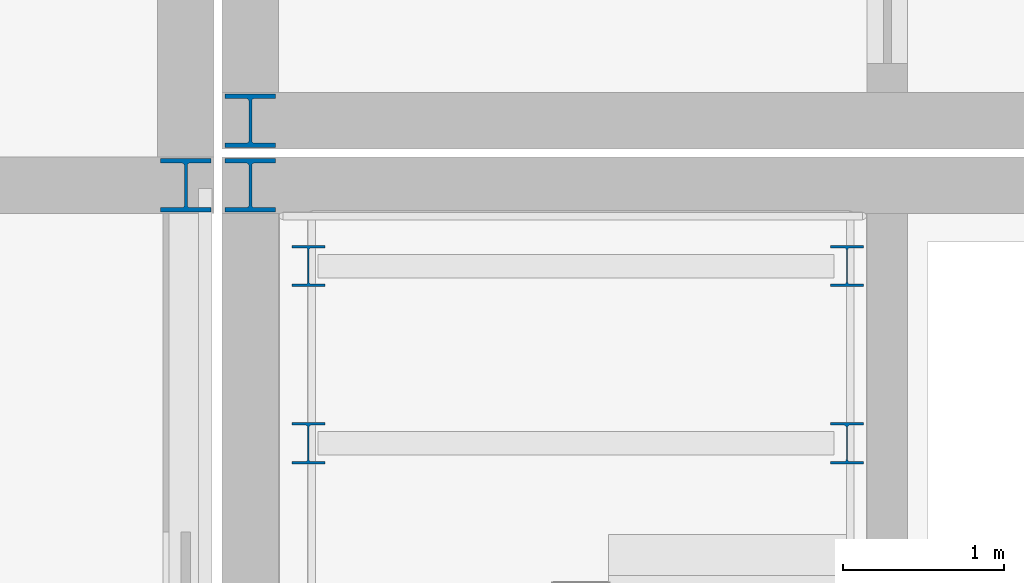
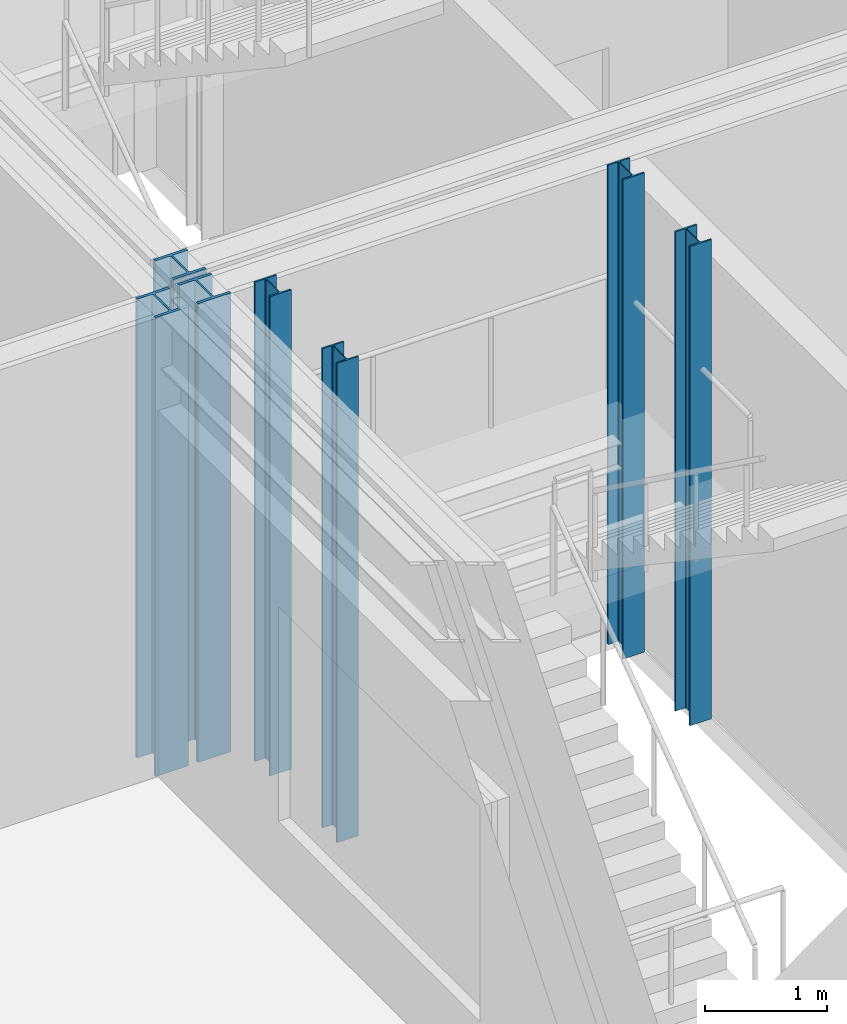
# One storey, part 10 of 104: 7 columns.
"""IFC4 building model written with IfcOpenShell, lengths in metres."""

from ifc_helpers import new_model, si_unit, direction, frame, origin, origin_2d, place, context, subcontext, project, spatial, i_section, extrude, material, material_profile, profile_set, type_object, element, save


model = new_model("IFC4")

# Units and contexts
model_context = context("Model", 3, precision=1e-05, world=origin(), true_north=direction((0.0, 1.0)))
body_context = subcontext(model_context, "Body", "Model", "MODEL_VIEW")
ifc_project = project(units=[si_unit("LENGTHUNIT", "METRE"), si_unit("AREAUNIT", "SQUARE_METRE"), si_unit("VOLUMEUNIT", "CUBIC_METRE"), si_unit("PLANEANGLEUNIT", "RADIAN"), si_unit("MASSUNIT", "GRAM", prefix="KILO")], contexts=[model_context])

# Site, building, storey
site_placement = place(None, origin())
site = spatial("IfcSite", under=ifc_project, at=site_placement, CompositionType="ELEMENT")
building_placement = place(site_placement, origin())
building = spatial("IfcBuilding", under=site, at=building_placement, Name="Zulena Civic Courthouse", CompositionType="ELEMENT")
storey_placement = place(building_placement, frame((0.0, 0.0, 10.800048828125)))
storey = spatial("IfcBuildingStorey", under=building, at=storey_placement, Name="L02", CompositionType="ELEMENT", Elevation=10.800048828125)

# Columns
ifc_material = material(Name="Steel ASTM A992 Grade 50", Category="steel")
ifc_material_profile_1 = material_profile(ifc_material, i_section(OverallWidth=0.2041015625, OverallDepth=0.257080078125, WebThickness=0.0087890625, FlangeThickness=0.015625, FilletRadius=0.0126953125, at=origin_2d()), Name="W10X45")
ifc_profile_set_1 = profile_set([ifc_material_profile_1], Name="Steel ASTM A992 Grade 50")
column_type_1 = type_object("IfcColumnType", Name="Col_W10X45", PredefinedType="COLUMN", material=ifc_profile_set_1)
for number, where, z_axis, x_axis, name in (
    (1, (124.760009765625, 28.800048828125, 0.0), (0.0, 0.0, 1.0), (1.0, 0.0, 0.0), "col:lnd:K1A:L02:0:0"),
    (2, (128.10009765625, 28.800048828125, 0.0), (0.0, 0.0, 1.0), (1.0, 0.0, 0.0), "col:lnd:K1A:L02:0:1"),
    (3, (124.760009765625, 29.89990234375, 0.0), (0.0, 0.0, 1.0), (1.0, 0.0, 0.0), "col:lnd:K1A:L02:1:0"),
    (4, (128.10009765625, 29.89990234375, 0.0), (0.0, 0.0, 1.0), (1.0, 0.0, 0.0), "col:lnd:K1A:L02:1:1"),
):
    element("IfcColumn", number, at=place(storey_placement, frame(where, z_axis=z_axis, x_axis=x_axis)), inside=storey, type_object=column_type_1, Name=name, PredefinedType="COLUMN", context=body_context, shape_type="SweptSolid", body=[
        extrude(i_section(OverallWidth=0.2041015625, OverallDepth=0.257080078125, WebThickness=0.0087890625, FlangeThickness=0.015625, FilletRadius=0.0126953125, at=origin_2d()), origin(), (0.0, 0.0, 1.0), 4.794921875),
    ])
ifc_material_profile_2 = material_profile(ifc_material, i_section(OverallWidth=0.31298828125, OverallDepth=0.3330078125, WebThickness=0.01806640625, FlangeThickness=0.0283203125, FilletRadius=0.01513671875, at=origin_2d()), Name="W12X120")
ifc_profile_set_2 = profile_set([ifc_material_profile_2], Name="Steel ASTM A992 Grade 50")
column_type_2 = type_object("IfcColumnType", Name="Col_W12X120", PredefinedType="COLUMN", material=ifc_profile_set_2)
for number, where, z_axis, x_axis, name in (
    (5, (124.39990234375, 30.39990234375, 0.0), (0.0, 0.0, 1.0), (1.0, 0.0, 0.0), "col:V1:L02:124.4:30.4"),
    (6, (124.39990234375, 30.800048828125, 0.0), (0.0, 0.0, 1.0), (1.0, 0.0, 0.0), "col:V3:L02:124.4:30.8"),
    (7, (124.0, 30.39990234375, 0.0), (0.0, 0.0, 1.0), (1.0, 0.0, 0.0), "col:V4:L02:124.0:30.4"),
):
    element("IfcColumn", number, at=place(storey_placement, frame(where, z_axis=z_axis, x_axis=x_axis)), inside=storey, type_object=column_type_2, Name=name, PredefinedType="COLUMN", context=body_context, shape_type="SweptSolid", body=[
        extrude(i_section(OverallWidth=0.31298828125, OverallDepth=0.3330078125, WebThickness=0.01806640625, FlangeThickness=0.0283203125, FilletRadius=0.01513671875, at=origin_2d()), origin(), (0.0, 0.0, 1.0), 4.58984375),
    ])

save(model, "model.ifc")
